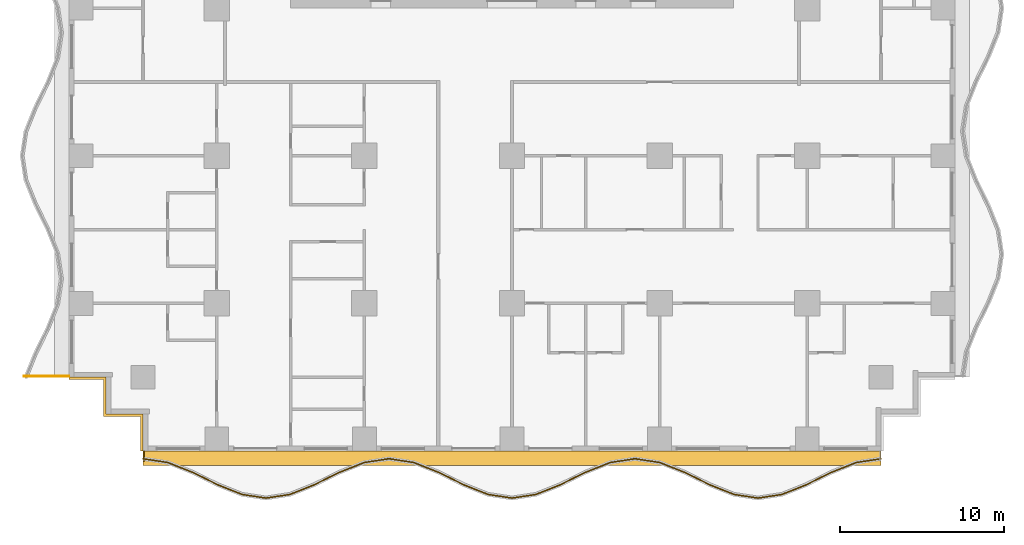
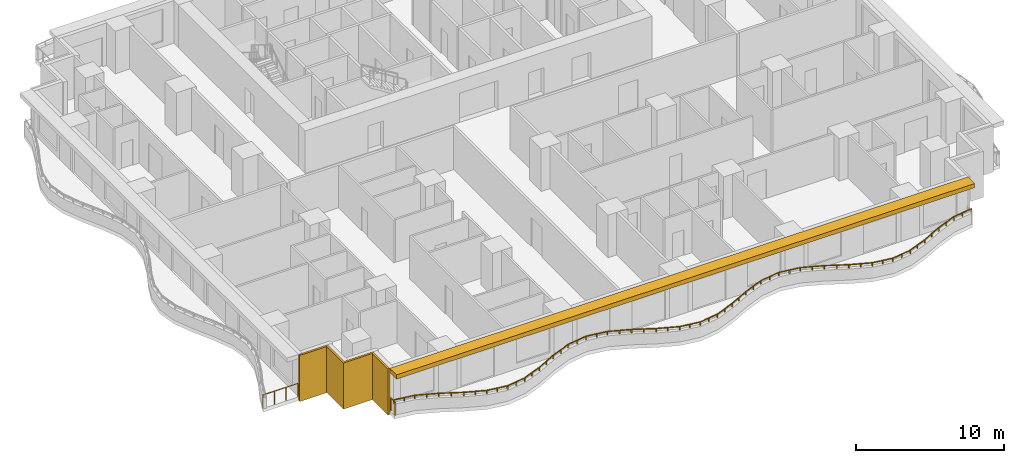
# One storey, part 8 of 14: 3 railings, 2 shading devices.
"""IFC4 building model written with IfcOpenShell, lengths in metres."""

from ifc_helpers import new_model, si_unit, direction, frame, origin, origin_2d, place, context, subcontext, project, spatial, polyline, rectangle, outline, extrude, material, layer, layer_set, type_object, element, save


model = new_model("IFC4")

# Units and contexts
model_context = context("Model", 3, precision=1e-05, world=origin(), true_north=direction((0.0, 1.0)))
body_context = subcontext(model_context, "Body", "Model", "MODEL_VIEW")
ifc_project = project(units=[si_unit("LENGTHUNIT", "METRE"), si_unit("AREAUNIT", "SQUARE_METRE"), si_unit("VOLUMEUNIT", "CUBIC_METRE"), si_unit("PLANEANGLEUNIT", "RADIAN"), si_unit("MASSUNIT", "GRAM", prefix="KILO")], contexts=[model_context])

# Site, building, storey
site_placement = place(None, origin())
site = spatial("IfcSite", under=ifc_project, at=site_placement, CompositionType="ELEMENT")
building_placement = place(site_placement, origin())
building = spatial("IfcBuilding", under=site, at=building_placement, Name="Orbiselva Terraces", CompositionType="ELEMENT")
storey_placement = place(building_placement, frame((0.0, 0.0, 37.8)))
storey = spatial("IfcBuildingStorey", under=building, at=storey_placement, Name="L09", CompositionType="ELEMENT", Elevation=37.8)

# Railings
ifc_material_1 = material(Name="Bonded two-ply safety glass balustrade, stainless steel posts", Category="steel")
railing_type_1 = type_object("IfcRailingType", Name="ENV-BALUSTRADE-1200", PredefinedType="BALUSTRADE", material=ifc_material_1)
railing_1_placement = place(storey_placement, frame((-22.481121, -22.976434, 0.9)))
element("IfcRailing", 1, at=railing_1_placement, inside=storey, type_object=railing_type_1, Name="Balcony balustrade L09 S", PredefinedType="BALUSTRADE", context=body_context, shape_type="SweptSolid", body=[
    extrude(outline(polyline([(0.028868, 0.0), (0.014434, 0.025), (-0.014434, 0.025), (-0.028868, 0.0), (-0.014434, -0.025), (0.014434, -0.025), (0.028868, 0.0)])), frame((0.0, 0.0, 0.275), z_axis=(0.988528588529, -0.151033869252, 0.0), x_axis=(0.151033869252, 0.988528588529, 0.0)), (0.0, 0.0, 1.0), 1.531776),
    extrude(outline(polyline([(0.028868, 0.0), (0.014434, 0.025), (-0.014434, 0.025), (-0.028868, 0.0), (-0.014434, -0.025), (0.014434, -0.025), (0.028868, 0.0)])), frame((1.514204, -0.23135, 0.275), z_axis=(0.92847681744, -0.371390359967, 0.0), x_axis=(0.371390359967, 0.92847681744, 0.0)), (0.0, 0.0, 1.0), 1.634838),
    extrude(outline(polyline([(0.028868, 0.0), (0.014434, 0.025), (-0.014434, 0.025), (-0.028868, 0.0), (-0.014434, -0.025), (0.014434, -0.025), (0.028868, 0.0)])), frame((3.032113, -0.838513, 0.275), z_axis=(0.896416672454, -0.443212307306, 0.0), x_axis=(0.443212307306, 0.896416672454, 0.0)), (0.0, 0.0, 1.0), 1.673329),
    extrude(outline(polyline([(0.028868, 0.0), (0.014434, 0.025), (-0.014434, 0.025), (-0.028868, 0.0), (-0.014434, -0.025), (0.014434, -0.025), (0.028868, 0.0)])), frame((4.532113, -1.580153, 0.275), z_axis=(0.928476561272, -0.371391000387, 0.0), x_axis=(0.371391000387, 0.928476561272, 0.0)), (0.0, 0.0, 1.0), 1.596261),
    extrude(outline(polyline([(0.028868, 0.0), (0.014434, 0.025), (-0.014434, 0.025), (-0.028868, 0.0), (-0.014434, -0.025), (0.014434, -0.025), (0.028868, 0.0)])), frame((6.014204, -2.17299, 0.275), z_axis=(0.988528606898, -0.151033749027, 0.0), x_axis=(0.151033749027, 0.988528606898, 0.0)), (0.0, 0.0, 1.0), 1.48394),
    extrude(outline(polyline([(0.028868, 0.0), (0.014434, 0.025), (-0.014434, 0.025), (-0.028868, 0.0), (-0.014434, -0.025), (0.014434, -0.025), (0.028868, 0.0)])), frame((7.481121, -2.397115, 0.275), z_axis=(0.988528606898, 0.151033749027, 0.0), x_axis=(-0.151033749027, 0.988528606898, 0.0)), (0.0, 0.0, 1.0), 1.48394),
    extrude(outline(polyline([(0.028868, 0.0), (0.014434, 0.025), (-0.014434, 0.025), (-0.028868, 0.0), (-0.014434, -0.025), (0.014434, -0.025), (0.028868, 0.0)])), frame((8.948038, -2.17299, 0.275), z_axis=(0.928476561272, 0.371391000387, 0.0), x_axis=(-0.371391000387, 0.928476561272, 0.0)), (0.0, 0.0, 1.0), 1.596261),
    extrude(outline(polyline([(0.028868, 0.0), (0.014434, 0.025), (-0.014434, 0.025), (-0.028868, 0.0), (-0.014434, -0.025), (0.014434, -0.025), (0.028868, 0.0)])), frame((10.430129, -1.580153, 0.275), z_axis=(0.896416672454, 0.443212307306, 0.0), x_axis=(-0.443212307306, 0.896416672454, 0.0)), (0.0, 0.0, 1.0), 1.673329),
    extrude(outline(polyline([(0.028868, 0.0), (0.014434, 0.025), (-0.014434, 0.025), (-0.028868, 0.0), (-0.014434, -0.025), (0.014434, -0.025), (0.028868, 0.0)])), frame((11.930129, -0.838513, 0.275), z_axis=(0.92847681744, 0.371390359967, 0.0), x_axis=(-0.371390359967, 0.92847681744, 0.0)), (0.0, 0.0, 1.0), 1.634838),
    extrude(outline(polyline([(0.028868, 0.0), (0.014434, 0.025), (-0.014434, 0.025), (-0.028868, 0.0), (-0.014434, -0.025), (0.014434, -0.025), (0.028868, 0.0)])), frame((13.448038, -0.23135, 0.275), z_axis=(0.988528536275, 0.151034211256, 0.0), x_axis=(-0.151034211256, 0.988528536275, 0.0)), (0.0, 0.0, 1.0), 1.550874),
    extrude(outline(polyline([(0.028868, 0.0), (0.014434, 0.025), (-0.014434, 0.025), (-0.028868, 0.0), (-0.014434, -0.025), (0.014434, -0.025), (0.028868, 0.0)])), frame((14.981121, 0.002885, 0.275), z_axis=(0.988528536275, -0.151034211256, 0.0), x_axis=(0.151034211256, 0.988528536275, 0.0)), (0.0, 0.0, 1.0), 1.550874),
    extrude(outline(polyline([(0.028868, 0.0), (0.014434, 0.025), (-0.014434, 0.025), (-0.028868, 0.0), (-0.014434, -0.025), (0.014434, -0.025), (0.028868, 0.0)])), frame((16.514204, -0.23135, 0.275), z_axis=(0.92847681744, -0.371390359967, 0.0), x_axis=(0.371390359967, 0.92847681744, 0.0)), (0.0, 0.0, 1.0), 1.634838),
    extrude(outline(polyline([(0.028868, 0.0), (0.014434, 0.025), (-0.014434, 0.025), (-0.028868, 0.0), (-0.014434, -0.025), (0.014434, -0.025), (0.028868, 0.0)])), frame((18.032113, -0.838513, 0.275), z_axis=(0.896416672454, -0.443212307306, 0.0), x_axis=(0.443212307306, 0.896416672454, 0.0)), (0.0, 0.0, 1.0), 1.673329),
    extrude(outline(polyline([(0.028868, 0.0), (0.014434, 0.025), (-0.014434, 0.025), (-0.028868, 0.0), (-0.014434, -0.025), (0.014434, -0.025), (0.028868, 0.0)])), frame((19.532113, -1.580153, 0.275), z_axis=(0.928476561272, -0.371391000387, 0.0), x_axis=(0.371391000387, 0.928476561272, 0.0)), (0.0, 0.0, 1.0), 1.596261),
    extrude(outline(polyline([(0.028868, 0.0), (0.014434, 0.025), (-0.014434, 0.025), (-0.028868, 0.0), (-0.014434, -0.025), (0.014434, -0.025), (0.028868, 0.0)])), frame((21.014204, -2.17299, 0.275), z_axis=(0.988528606898, -0.151033749027, 0.0), x_axis=(0.151033749027, 0.988528606898, 0.0)), (0.0, 0.0, 1.0), 1.48394),
    extrude(outline(polyline([(0.028868, 0.0), (0.014434, 0.025), (-0.014434, 0.025), (-0.028868, 0.0), (-0.014434, -0.025), (0.014434, -0.025), (0.028868, 0.0)])), frame((22.481121, -2.397115, 0.275), z_axis=(0.988528606898, 0.151033749027, 0.0), x_axis=(-0.151033749027, 0.988528606898, 0.0)), (0.0, 0.0, 1.0), 1.48394),
    extrude(outline(polyline([(0.028868, 0.0), (0.014434, 0.025), (-0.014434, 0.025), (-0.028868, 0.0), (-0.014434, -0.025), (0.014434, -0.025), (0.028868, 0.0)])), frame((23.948038, -2.17299, 0.275), z_axis=(0.928476561272, 0.371391000387, 0.0), x_axis=(-0.371391000387, 0.928476561272, 0.0)), (0.0, 0.0, 1.0), 1.596261),
    extrude(outline(polyline([(0.028868, 0.0), (0.014434, 0.025), (-0.014434, 0.025), (-0.028868, 0.0), (-0.014434, -0.025), (0.014434, -0.025), (0.028868, 0.0)])), frame((25.430129, -1.580153, 0.275), z_axis=(0.896416672454, 0.443212307306, 0.0), x_axis=(-0.443212307306, 0.896416672454, 0.0)), (0.0, 0.0, 1.0), 1.673329),
    extrude(outline(polyline([(0.028868, 0.0), (0.014434, 0.025), (-0.014434, 0.025), (-0.028868, 0.0), (-0.014434, -0.025), (0.014434, -0.025), (0.028868, 0.0)])), frame((26.930129, -0.838513, 0.275), z_axis=(0.92847681744, 0.371390359967, 0.0), x_axis=(-0.371390359967, 0.92847681744, 0.0)), (0.0, 0.0, 1.0), 1.634838),
    extrude(outline(polyline([(0.028868, 0.0), (0.014434, 0.025), (-0.014434, 0.025), (-0.028868, 0.0), (-0.014434, -0.025), (0.014434, -0.025), (0.028868, 0.0)])), frame((28.448038, -0.23135, 0.275), z_axis=(0.988528536275, 0.151034211256, 0.0), x_axis=(-0.151034211256, 0.988528536275, 0.0)), (0.0, 0.0, 1.0), 1.550874),
    extrude(outline(polyline([(0.028868, 0.0), (0.014434, 0.025), (-0.014434, 0.025), (-0.028868, 0.0), (-0.014434, -0.025), (0.014434, -0.025), (0.028868, 0.0)])), frame((29.981121, 0.002885, 0.275), z_axis=(0.988528536275, -0.151034211256, 0.0), x_axis=(0.151034211256, 0.988528536275, 0.0)), (0.0, 0.0, 1.0), 1.550874),
    extrude(outline(polyline([(0.028868, 0.0), (0.014434, 0.025), (-0.014434, 0.025), (-0.028868, 0.0), (-0.014434, -0.025), (0.014434, -0.025), (0.028868, 0.0)])), frame((31.514204, -0.23135, 0.275), z_axis=(0.92847681744, -0.371390359967, 0.0), x_axis=(0.371390359967, 0.92847681744, 0.0)), (0.0, 0.0, 1.0), 1.634838),
    extrude(outline(polyline([(0.028868, 0.0), (0.014434, 0.025), (-0.014434, 0.025), (-0.028868, 0.0), (-0.014434, -0.025), (0.014434, -0.025), (0.028868, 0.0)])), frame((33.032113, -0.838513, 0.275), z_axis=(0.896416672454, -0.443212307306, 0.0), x_axis=(0.443212307306, 0.896416672454, 0.0)), (0.0, 0.0, 1.0), 1.673329),
    extrude(outline(polyline([(0.028868, 0.0), (0.014434, 0.025), (-0.014434, 0.025), (-0.028868, 0.0), (-0.014434, -0.025), (0.014434, -0.025), (0.028868, 0.0)])), frame((34.532113, -1.580153, 0.275), z_axis=(0.928476561272, -0.371391000387, 0.0), x_axis=(0.371391000387, 0.928476561272, 0.0)), (0.0, 0.0, 1.0), 1.596261),
    extrude(outline(polyline([(0.028868, 0.0), (0.014434, 0.025), (-0.014434, 0.025), (-0.028868, 0.0), (-0.014434, -0.025), (0.014434, -0.025), (0.028868, 0.0)])), frame((36.014204, -2.17299, 0.275), z_axis=(0.988528606898, -0.151033749027, 0.0), x_axis=(0.151033749027, 0.988528606898, 0.0)), (0.0, 0.0, 1.0), 1.48394),
    extrude(outline(polyline([(0.028868, 0.0), (0.014434, 0.025), (-0.014434, 0.025), (-0.028868, 0.0), (-0.014434, -0.025), (0.014434, -0.025), (0.028868, 0.0)])), frame((37.481121, -2.397115, 0.275), z_axis=(0.988528606898, 0.151033749027, 0.0), x_axis=(-0.151033749027, 0.988528606898, 0.0)), (0.0, 0.0, 1.0), 1.48394),
    extrude(outline(polyline([(0.028868, 0.0), (0.014434, 0.025), (-0.014434, 0.025), (-0.028868, 0.0), (-0.014434, -0.025), (0.014434, -0.025), (0.028868, 0.0)])), frame((38.948038, -2.17299, 0.275), z_axis=(0.928476561272, 0.371391000387, 0.0), x_axis=(-0.371391000387, 0.928476561272, 0.0)), (0.0, 0.0, 1.0), 1.596261),
    extrude(outline(polyline([(0.028868, 0.0), (0.014434, 0.025), (-0.014434, 0.025), (-0.028868, 0.0), (-0.014434, -0.025), (0.014434, -0.025), (0.028868, 0.0)])), frame((40.430129, -1.580153, 0.275), z_axis=(0.896416672454, 0.443212307306, 0.0), x_axis=(-0.443212307306, 0.896416672454, 0.0)), (0.0, 0.0, 1.0), 1.673329),
    extrude(outline(polyline([(0.028868, 0.0), (0.014434, 0.025), (-0.014434, 0.025), (-0.028868, 0.0), (-0.014434, -0.025), (0.014434, -0.025), (0.028868, 0.0)])), frame((41.930129, -0.838513, 0.275), z_axis=(0.92847681744, 0.371390359967, 0.0), x_axis=(-0.371390359967, 0.92847681744, 0.0)), (0.0, 0.0, 1.0), 1.634838),
    extrude(outline(polyline([(0.028868, 0.0), (0.014434, 0.025), (-0.014434, 0.025), (-0.028868, 0.0), (-0.014434, -0.025), (0.014434, -0.025), (0.028868, 0.0)])), frame((43.448038, -0.23135, 0.275), z_axis=(0.988528588529, 0.151033869252, 0.0), x_axis=(-0.151033869252, 0.988528588529, 0.0)), (0.0, 0.0, 1.0), 1.531776),
    extrude(rectangle(XDim=0.05, YDim=0.05, at=origin_2d()), origin(), (0.0, 0.0, 1.0), 0.25),
    extrude(rectangle(XDim=0.05, YDim=0.05, at=origin_2d()), frame((0.757102, -0.115675, 0.0)), (0.0, 0.0, 1.0), 0.25),
    extrude(rectangle(XDim=0.05, YDim=0.05, at=origin_2d()), frame((1.514204, -0.23135, 0.0)), (0.0, 0.0, 1.0), 0.25),
    extrude(rectangle(XDim=0.05, YDim=0.05, at=origin_2d()), frame((2.273159, -0.534931, 0.0)), (0.0, 0.0, 1.0), 0.25),
    extrude(rectangle(XDim=0.05, YDim=0.05, at=origin_2d()), frame((3.032113, -0.838513, 0.0)), (0.0, 0.0, 1.0), 0.25),
    extrude(rectangle(XDim=0.05, YDim=0.05, at=origin_2d()), frame((3.782113, -1.209333, 0.0)), (0.0, 0.0, 1.0), 0.25),
    extrude(rectangle(XDim=0.05, YDim=0.05, at=origin_2d()), frame((4.532113, -1.580153, 0.0)), (0.0, 0.0, 1.0), 0.25),
    extrude(rectangle(XDim=0.05, YDim=0.05, at=origin_2d()), frame((5.273159, -1.876571, 0.0)), (0.0, 0.0, 1.0), 0.25),
    extrude(rectangle(XDim=0.05, YDim=0.05, at=origin_2d()), frame((6.014204, -2.17299, 0.0)), (0.0, 0.0, 1.0), 0.25),
    extrude(rectangle(XDim=0.05, YDim=0.05, at=origin_2d()), frame((6.747663, -2.285052, 0.0)), (0.0, 0.0, 1.0), 0.25),
    extrude(rectangle(XDim=0.05, YDim=0.05, at=origin_2d()), frame((7.481121, -2.397115, 0.0)), (0.0, 0.0, 1.0), 0.25),
    extrude(rectangle(XDim=0.05, YDim=0.05, at=origin_2d()), frame((8.21458, -2.285052, 0.0)), (0.0, 0.0, 1.0), 0.25),
    extrude(rectangle(XDim=0.05, YDim=0.05, at=origin_2d()), frame((8.948038, -2.17299, 0.0)), (0.0, 0.0, 1.0), 0.25),
    extrude(rectangle(XDim=0.05, YDim=0.05, at=origin_2d()), frame((9.689084, -1.876571, 0.0)), (0.0, 0.0, 1.0), 0.25),
    extrude(rectangle(XDim=0.05, YDim=0.05, at=origin_2d()), frame((10.430129, -1.580153, 0.0)), (0.0, 0.0, 1.0), 0.25),
    extrude(rectangle(XDim=0.05, YDim=0.05, at=origin_2d()), frame((11.180129, -1.209333, 0.0)), (0.0, 0.0, 1.0), 0.25),
    extrude(rectangle(XDim=0.05, YDim=0.05, at=origin_2d()), frame((11.930129, -0.838513, 0.0)), (0.0, 0.0, 1.0), 0.25),
    extrude(rectangle(XDim=0.05, YDim=0.05, at=origin_2d()), frame((12.689084, -0.534931, 0.0)), (0.0, 0.0, 1.0), 0.25),
    extrude(rectangle(XDim=0.05, YDim=0.05, at=origin_2d()), frame((13.448038, -0.23135, 0.0)), (0.0, 0.0, 1.0), 0.25),
    extrude(rectangle(XDim=0.05, YDim=0.05, at=origin_2d()), frame((14.21458, -0.114232, 0.0)), (0.0, 0.0, 1.0), 0.25),
    extrude(rectangle(XDim=0.05, YDim=0.05, at=origin_2d()), frame((14.981121, 0.002885, 0.0)), (0.0, 0.0, 1.0), 0.25),
    extrude(rectangle(XDim=0.05, YDim=0.05, at=origin_2d()), frame((15.747663, -0.114232, 0.0)), (0.0, 0.0, 1.0), 0.25),
    extrude(rectangle(XDim=0.05, YDim=0.05, at=origin_2d()), frame((16.514204, -0.23135, 0.0)), (0.0, 0.0, 1.0), 0.25),
    extrude(rectangle(XDim=0.05, YDim=0.05, at=origin_2d()), frame((17.273158, -0.534931, 0.0)), (0.0, 0.0, 1.0), 0.25),
    extrude(rectangle(XDim=0.05, YDim=0.05, at=origin_2d()), frame((18.032113, -0.838513, 0.0)), (0.0, 0.0, 1.0), 0.25),
    extrude(rectangle(XDim=0.05, YDim=0.05, at=origin_2d()), frame((18.782113, -1.209333, 0.0)), (0.0, 0.0, 1.0), 0.25),
    extrude(rectangle(XDim=0.05, YDim=0.05, at=origin_2d()), frame((19.532113, -1.580153, 0.0)), (0.0, 0.0, 1.0), 0.25),
    extrude(rectangle(XDim=0.05, YDim=0.05, at=origin_2d()), frame((20.273158, -1.876571, 0.0)), (0.0, 0.0, 1.0), 0.25),
    extrude(rectangle(XDim=0.05, YDim=0.05, at=origin_2d()), frame((21.014204, -2.17299, 0.0)), (0.0, 0.0, 1.0), 0.25),
    extrude(rectangle(XDim=0.05, YDim=0.05, at=origin_2d()), frame((21.747663, -2.285052, 0.0)), (0.0, 0.0, 1.0), 0.25),
    extrude(rectangle(XDim=0.05, YDim=0.05, at=origin_2d()), frame((22.481121, -2.397115, 0.0)), (0.0, 0.0, 1.0), 0.25),
    extrude(rectangle(XDim=0.05, YDim=0.05, at=origin_2d()), frame((23.21458, -2.285052, 0.0)), (0.0, 0.0, 1.0), 0.25),
    extrude(rectangle(XDim=0.05, YDim=0.05, at=origin_2d()), frame((23.948038, -2.17299, 0.0)), (0.0, 0.0, 1.0), 0.25),
    extrude(rectangle(XDim=0.05, YDim=0.05, at=origin_2d()), frame((24.689084, -1.876571, 0.0)), (0.0, 0.0, 1.0), 0.25),
    extrude(rectangle(XDim=0.05, YDim=0.05, at=origin_2d()), frame((25.430129, -1.580153, 0.0)), (0.0, 0.0, 1.0), 0.25),
    extrude(rectangle(XDim=0.05, YDim=0.05, at=origin_2d()), frame((26.180129, -1.209333, 0.0)), (0.0, 0.0, 1.0), 0.25),
    extrude(rectangle(XDim=0.05, YDim=0.05, at=origin_2d()), frame((26.930129, -0.838513, 0.0)), (0.0, 0.0, 1.0), 0.25),
    extrude(rectangle(XDim=0.05, YDim=0.05, at=origin_2d()), frame((27.689084, -0.534931, 0.0)), (0.0, 0.0, 1.0), 0.25),
    extrude(rectangle(XDim=0.05, YDim=0.05, at=origin_2d()), frame((28.448038, -0.23135, 0.0)), (0.0, 0.0, 1.0), 0.25),
    extrude(rectangle(XDim=0.05, YDim=0.05, at=origin_2d()), frame((29.21458, -0.114232, 0.0)), (0.0, 0.0, 1.0), 0.25),
    extrude(rectangle(XDim=0.05, YDim=0.05, at=origin_2d()), frame((29.981121, 0.002885, 0.0)), (0.0, 0.0, 1.0), 0.25),
    extrude(rectangle(XDim=0.05, YDim=0.05, at=origin_2d()), frame((30.747662, -0.114232, 0.0)), (0.0, 0.0, 1.0), 0.25),
    extrude(rectangle(XDim=0.05, YDim=0.05, at=origin_2d()), frame((31.514204, -0.23135, 0.0)), (0.0, 0.0, 1.0), 0.25),
    extrude(rectangle(XDim=0.05, YDim=0.05, at=origin_2d()), frame((32.273158, -0.534931, 0.0)), (0.0, 0.0, 1.0), 0.25),
    extrude(rectangle(XDim=0.05, YDim=0.05, at=origin_2d()), frame((33.032113, -0.838513, 0.0)), (0.0, 0.0, 1.0), 0.25),
    extrude(rectangle(XDim=0.05, YDim=0.05, at=origin_2d()), frame((33.782113, -1.209333, 0.0)), (0.0, 0.0, 1.0), 0.25),
    extrude(rectangle(XDim=0.05, YDim=0.05, at=origin_2d()), frame((34.532113, -1.580153, 0.0)), (0.0, 0.0, 1.0), 0.25),
    extrude(rectangle(XDim=0.05, YDim=0.05, at=origin_2d()), frame((35.273158, -1.876571, 0.0)), (0.0, 0.0, 1.0), 0.25),
    extrude(rectangle(XDim=0.05, YDim=0.05, at=origin_2d()), frame((36.014204, -2.17299, 0.0)), (0.0, 0.0, 1.0), 0.25),
    extrude(rectangle(XDim=0.05, YDim=0.05, at=origin_2d()), frame((36.747663, -2.285052, 0.0)), (0.0, 0.0, 1.0), 0.25),
    extrude(rectangle(XDim=0.05, YDim=0.05, at=origin_2d()), frame((37.481121, -2.397115, 0.0)), (0.0, 0.0, 1.0), 0.25),
    extrude(rectangle(XDim=0.05, YDim=0.05, at=origin_2d()), frame((38.21458, -2.285052, 0.0)), (0.0, 0.0, 1.0), 0.25),
    extrude(rectangle(XDim=0.05, YDim=0.05, at=origin_2d()), frame((38.948038, -2.17299, 0.0)), (0.0, 0.0, 1.0), 0.25),
    extrude(rectangle(XDim=0.05, YDim=0.05, at=origin_2d()), frame((39.689083, -1.876571, 0.0)), (0.0, 0.0, 1.0), 0.25),
    extrude(rectangle(XDim=0.05, YDim=0.05, at=origin_2d()), frame((40.430129, -1.580153, 0.0)), (0.0, 0.0, 1.0), 0.25),
    extrude(rectangle(XDim=0.05, YDim=0.05, at=origin_2d()), frame((41.180129, -1.209333, 0.0)), (0.0, 0.0, 1.0), 0.25),
    extrude(rectangle(XDim=0.05, YDim=0.05, at=origin_2d()), frame((41.930129, -0.838513, 0.0)), (0.0, 0.0, 1.0), 0.25),
    extrude(rectangle(XDim=0.05, YDim=0.05, at=origin_2d()), frame((42.689083, -0.534931, 0.0)), (0.0, 0.0, 1.0), 0.25),
    extrude(rectangle(XDim=0.05, YDim=0.05, at=origin_2d()), frame((43.448038, -0.23135, 0.0)), (0.0, 0.0, 1.0), 0.25),
    extrude(rectangle(XDim=0.05, YDim=0.05, at=origin_2d()), frame((44.20514, -0.115675, 0.0)), (0.0, 0.0, 1.0), 0.25),
    extrude(rectangle(XDim=0.05, YDim=0.05, at=origin_2d()), frame((44.962242, 0.0, 0.0)), (0.0, 0.0, 1.0), 0.25),
])
ifc_material_2 = material(Name="Stainless steel rail and posts", Category="steel")
railing_type_2 = type_object("IfcRailingType", Name="ENV-GUARD-1105", PredefinedType="BALUSTRADE", material=ifc_material_2)
railing_2_placement = place(storey_placement, frame((-22.44, -23.100379, 0.0)))
element("IfcRailing", 2, at=railing_2_placement, inside=storey, type_object=railing_type_2, Name="Balcony end guard L09 S", PredefinedType="BALUSTRADE", context=body_context, shape_type="SweptSolid", body=[
    extrude(outline(polyline([(0.028868, 0.0), (0.014434, 0.025), (-0.014434, 0.025), (-0.028868, 0.0), (-0.014434, -0.025), (0.014434, -0.025), (0.028868, 0.0)])), frame((0.0, 0.0, 1.08), z_axis=(0.0, 1.0, 0.0), x_axis=(-1.0, 0.0, 0.0)), (0.0, 0.0, 1.0), 0.575379),
    extrude(rectangle(XDim=0.05, YDim=0.05, at=origin_2d()), origin(), (0.0, 0.0, 1.0), 1.055),
    extrude(rectangle(XDim=0.05, YDim=0.05, at=origin_2d()), frame((0.0, 0.575379, 0.0)), (0.0, 0.0, 1.0), 1.055),
])
railing_3_placement = place(storey_placement, frame((-29.752788, -17.94, 0.0)))
element("IfcRailing", 3, at=railing_3_placement, inside=storey, type_object=railing_type_2, Name="Balcony end guard L09 W", PredefinedType="BALUSTRADE", context=body_context, shape_type="SweptSolid", body=[
    extrude(outline(polyline([(0.028868, 0.0), (0.014434, 0.025), (-0.014434, 0.025), (-0.028868, 0.0), (-0.014434, -0.025), (0.014434, -0.025), (0.028868, 0.0)])), frame((0.0, 0.0, 1.08), z_axis=(1.0, 0.0, 0.0), x_axis=(0.0, 1.0, 0.0)), (0.0, 0.0, 1.0), 2.727788),
    extrude(rectangle(XDim=0.05, YDim=0.05, at=origin_2d()), origin(), (0.0, 0.0, 1.0), 1.055),
    extrude(rectangle(XDim=0.05, YDim=0.05, at=origin_2d()), frame((0.909263, 0.0, 0.0)), (0.0, 0.0, 1.0), 1.055),
    extrude(rectangle(XDim=0.05, YDim=0.05, at=origin_2d()), frame((1.818525, 0.0, 0.0)), (0.0, 0.0, 1.0), 1.055),
    extrude(rectangle(XDim=0.05, YDim=0.05, at=origin_2d()), frame((2.727788, 0.0, 0.0)), (0.0, 0.0, 1.0), 1.055),
])

# Shading devices
ifc_material_3 = material(Name="Terracotta louvre screen", Category="masonry")
ifc_layer_1 = layer(ifc_material_3, 0.15)
ifc_layer_set_1 = layer_set([ifc_layer_1], Name="Terracotta louvre screen")
shading_device_type_1 = type_object("IfcShadingDeviceType", Name="ENV-SCREEN-150", PredefinedType="USERDEFINED", material=ifc_layer_set_1)
shading_device_1_placement = place(storey_placement, frame((0.0, 0.0, -0.3)))
element("IfcShadingDevice", 4, at=shading_device_1_placement, inside=storey, type_object=shading_device_type_1, Name="Louvre screen L09 SW", ObjectType="SCREEN", PredefinedType="USERDEFINED", context=body_context, shape_type="SweptSolid", body=[
    extrude(outline(polyline([(-27.0, -18.15), (-24.9, -18.15), (-24.9, -20.4), (-22.65, -20.4), (-22.65, -22.5), (-22.5, -22.5), (-22.5, -20.25), (-24.75, -20.25), (-24.75, -18.0), (-27.0, -18.0), (-27.0, -18.15)])), origin(), (0.0, 0.0, 1.0), 3.8),
])
ifc_material_4 = material(Name="Terracotta baguette sunshade", Category="masonry")
ifc_layer_2 = layer(ifc_material_4, 0.35)
ifc_layer_set_2 = layer_set([ifc_layer_2], Name="Terracotta baguette sunshade")
shading_device_type_2 = type_object("IfcShadingDeviceType", Name="ENV-SUNSHADE-900x350", PredefinedType="USERDEFINED", material=ifc_layer_set_2)
shading_device_2_placement = place(storey_placement, frame((0.0, 0.0, 3.15)))
element("IfcShadingDevice", 5, at=shading_device_2_placement, inside=storey, type_object=shading_device_type_2, Name="Sunshade band L09 S", ObjectType="SUNSHADE", PredefinedType="USERDEFINED", context=body_context, shape_type="SweptSolid", body=[
    extrude(outline(polyline([(-22.5, -23.4), (22.5, -23.4), (22.5, -22.5), (-22.5, -22.5), (-22.5, -23.4)])), origin(), (0.0, 0.0, 1.0), 0.35),
])

save(model, "model.ifc")
